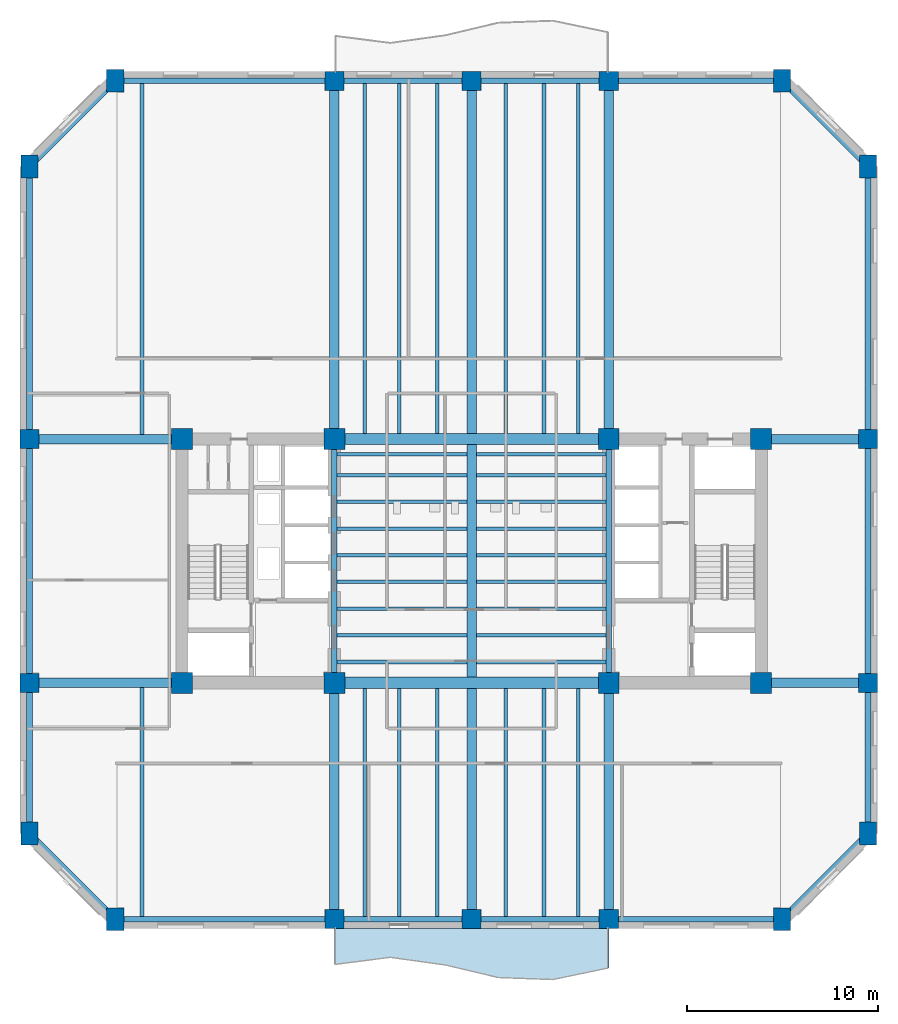
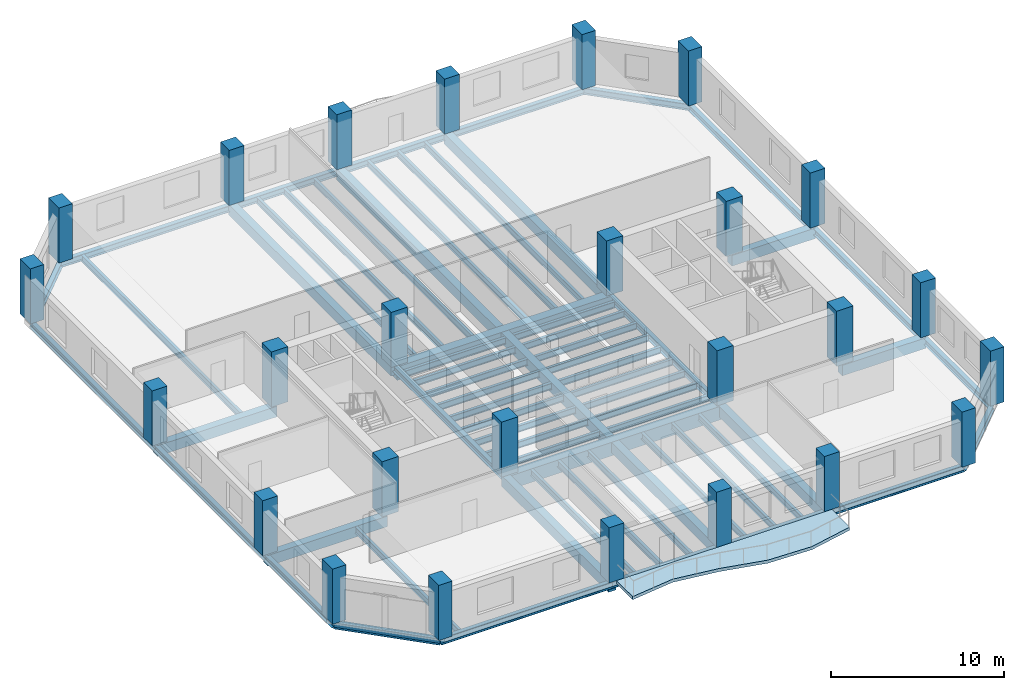
# One storey, part 1 of 10: 65 beams, 26 columns, 1 slab.
"""IFC4 building model written with IfcOpenShell, lengths in metres."""

from ifc_helpers import new_model, si_unit, direction, frame, origin, origin_2d, place, context, subcontext, project, spatial, polyline, rectangle, i_section, outline, extrude, material, layer, layer_set, material_profile, profile_set, type_object, element, save


model = new_model("IFC4")

# Units and contexts
model_context = context("Model", 3, precision=1e-05, world=origin(), true_north=direction((0.0, 1.0)))
body_context = subcontext(model_context, "Body", "Model", "MODEL_VIEW")
ifc_project = project(units=[si_unit("LENGTHUNIT", "METRE"), si_unit("AREAUNIT", "SQUARE_METRE"), si_unit("VOLUMEUNIT", "CUBIC_METRE"), si_unit("PLANEANGLEUNIT", "RADIAN"), si_unit("MASSUNIT", "GRAM", prefix="KILO")], contexts=[model_context])

# Site, building, storey
site_placement = place(None, origin())
site = spatial("IfcSite", under=ifc_project, at=site_placement, CompositionType="ELEMENT")
building_placement = place(site_placement, origin())
building = spatial("IfcBuilding", under=site, at=building_placement, Name="Kranthara Brick Stack", CompositionType="ELEMENT")
storey_placement = place(building_placement, frame((0.0, 0.0, 102.300048828125)))
storey = spatial("IfcBuildingStorey", under=building, at=storey_placement, Name="L25", CompositionType="ELEMENT", Elevation=102.300048828125)

# Columns
ifc_material_1 = material(Name="Concrete C70/85", Category="concrete")
ifc_material_profile_1 = material_profile(ifc_material_1, rectangle(XDim=0.89990234375, YDim=1.199951171875, at=origin_2d()), Name="RC 900x1200")
ifc_profile_set_1 = profile_set([ifc_material_profile_1], Name="Concrete C70/85")
column_type_1 = type_object("IfcColumnType", Name="COL-CHAM-900x1200", PredefinedType="COLUMN", material=ifc_profile_set_1)
for number, where, z_axis, x_axis, name in (
    (1, (9.300048828125, 8.39990234375, 0.0), (0.0, 0.0, 1.0), (1.0, 0.0, 0.0), "L25 Column 09"),
    (2, (9.300048828125, 52.39990234375, 0.0), (0.0, 0.0, 1.0), (1.0, 0.0, 0.0), "L25 Column 10"),
    (3, (44.300048828125, 8.39990234375, 0.0), (0.0, 0.0, 1.0), (1.0, 0.0, 0.0), "L25 Column 17"),
    (4, (44.300048828125, 52.39990234375, 0.0), (0.0, 0.0, 1.0), (1.0, 0.0, 0.0), "L25 Column 18"),
    (5, (4.800048828125, 12.89990234375, 0.0), (0.0, 0.0, 1.0), (1.0, 0.0, 0.0), "L25 Column 19"),
    (6, (48.800048828125, 12.89990234375, 0.0), (0.0, 0.0, 1.0), (1.0, 0.0, 0.0), "L25 Column 20"),
    (7, (4.800048828125, 47.89990234375, 0.0), (0.0, 0.0, 1.0), (1.0, 0.0, 0.0), "L25 Column 25"),
    (8, (48.800048828125, 47.89990234375, 0.0), (0.0, 0.0, 1.0), (1.0, 0.0, 0.0), "L25 Column 26"),
):
    element("IfcColumn", number, at=place(storey_placement, frame(where, z_axis=z_axis, x_axis=x_axis)), inside=storey, type_object=column_type_1, Name=name, PredefinedType="COLUMN", context=body_context, shape_type="SweptSolid", body=[
        extrude(rectangle(XDim=0.89990234375, YDim=1.199951171875, at=origin_2d()), origin(), (0.0, 0.0, 1.0), 3.89990234375),
    ])
ifc_material_2 = material(Name="Concrete C70/85", Category="concrete")
ifc_material_profile_2 = material_profile(ifc_material_2, rectangle(XDim=1.10009765625, YDim=1.10009765625, at=origin_2d()), Name="RC 1100x1100")
ifc_profile_set_2 = profile_set([ifc_material_profile_2], Name="Concrete C70/85")
column_type_2 = type_object("IfcColumnType", Name="COL-CORE-1100", PredefinedType="COLUMN", material=ifc_profile_set_2)
for number, where, z_axis, x_axis, name in (
    (9, (12.800048828125, 20.800048828125, 0.0), (0.0, 0.0, 1.0), (1.0, 0.0, 0.0), "L25 Column 01"),
    (10, (20.800048828125, 20.800048828125, 0.0), (0.0, 0.0, 1.0), (1.0, 0.0, 0.0), "L25 Column 02"),
    (11, (12.800048828125, 33.60009765625, 0.0), (0.0, 0.0, 1.0), (1.0, 0.0, 0.0), "L25 Column 03"),
    (12, (20.800048828125, 33.60009765625, 0.0), (0.0, 0.0, 1.0), (1.0, 0.0, 0.0), "L25 Column 04"),
    (13, (35.199951171875, 20.800048828125, 0.0), (0.0, 0.0, 1.0), (1.0, 0.0, 0.0), "L25 Column 05"),
    (14, (43.199951171875, 20.800048828125, 0.0), (0.0, 0.0, 1.0), (1.0, 0.0, 0.0), "L25 Column 06"),
    (15, (35.199951171875, 33.60009765625, 0.0), (0.0, 0.0, 1.0), (1.0, 0.0, 0.0), "L25 Column 07"),
    (16, (43.199951171875, 33.60009765625, 0.0), (0.0, 0.0, 1.0), (1.0, 0.0, 0.0), "L25 Column 08"),
):
    element("IfcColumn", number, at=place(storey_placement, frame(where, z_axis=z_axis, x_axis=x_axis)), inside=storey, type_object=column_type_2, Name=name, PredefinedType="COLUMN", context=body_context, shape_type="SweptSolid", body=[
        extrude(rectangle(XDim=1.10009765625, YDim=1.10009765625, at=origin_2d()), origin(), (0.0, 0.0, 1.0), 3.89990234375),
    ])
ifc_material_3 = material(Name="Concrete C60/75", Category="concrete")
ifc_material_profile_3 = material_profile(ifc_material_3, rectangle(XDim=1.0, YDim=1.0, at=origin_2d()), Name="RC 1000x1000")
ifc_profile_set_3 = profile_set([ifc_material_profile_3], Name="Concrete C60/75")
column_type_3 = type_object("IfcColumnType", Name="COL-PER-1000", PredefinedType="COLUMN", material=ifc_profile_set_3)
for number, where, z_axis, x_axis, name in (
    (17, (20.800048828125, 8.39990234375, 0.0), (0.0, 0.0, 1.0), (1.0, 0.0, 0.0), "L25 Column 11"),
    (18, (20.800048828125, 52.39990234375, 0.0), (0.0, 0.0, 1.0), (1.0, 0.0, 0.0), "L25 Column 12"),
    (19, (28.0, 8.39990234375, 0.0), (0.0, 0.0, 1.0), (1.0, 0.0, 0.0), "L25 Column 13"),
    (20, (28.0, 52.39990234375, 0.0), (0.0, 0.0, 1.0), (1.0, 0.0, 0.0), "L25 Column 14"),
    (21, (35.199951171875, 8.39990234375, 0.0), (0.0, 0.0, 1.0), (1.0, 0.0, 0.0), "L25 Column 15"),
    (22, (35.199951171875, 52.39990234375, 0.0), (0.0, 0.0, 1.0), (1.0, 0.0, 0.0), "L25 Column 16"),
    (23, (4.800048828125, 20.800048828125, 0.0), (0.0, 0.0, 1.0), (1.0, 0.0, 0.0), "L25 Column 21"),
    (24, (48.800048828125, 20.800048828125, 0.0), (0.0, 0.0, 1.0), (1.0, 0.0, 0.0), "L25 Column 22"),
    (25, (4.800048828125, 33.60009765625, 0.0), (0.0, 0.0, 1.0), (1.0, 0.0, 0.0), "L25 Column 23"),
    (26, (48.800048828125, 33.60009765625, 0.0), (0.0, 0.0, 1.0), (1.0, 0.0, 0.0), "L25 Column 24"),
):
    element("IfcColumn", number, at=place(storey_placement, frame(where, z_axis=z_axis, x_axis=x_axis)), inside=storey, type_object=column_type_3, Name=name, PredefinedType="COLUMN", context=body_context, shape_type="SweptSolid", body=[
        extrude(rectangle(XDim=1.0, YDim=1.0, at=origin_2d()), origin(), (0.0, 0.0, 1.0), 3.89990234375),
    ])

# Beams
ifc_material_4 = material(Name="Concrete C60/75", Category="concrete")
ifc_material_profile_4 = material_profile(ifc_material_4, rectangle(XDim=0.60009765625, YDim=0.949951171875, at=origin_2d()), Name="RC 600x950")
ifc_profile_set_4 = profile_set([ifc_material_profile_4], Name="Concrete C60/75")
beam_type_1 = type_object("IfcBeamType", Name="BM-CPL-RC950", PredefinedType="LINTEL", material=ifc_profile_set_4)
for number, where, z_axis, x_axis, name in (
    (27, (20.800048828125, 20.800048828125, -0.775146484375), (1.0, 0.0, 0.0), (0.0, 1.0, 0.0), "L25 Core Coupling Beam 001"),
    (28, (20.800048828125, 33.60009765625, -0.775146484375), (1.0, 0.0, 0.0), (0.0, 1.0, 0.0), "L25 Core Coupling Beam 002"),
):
    element("IfcBeam", number, at=place(storey_placement, frame(where, z_axis=z_axis, x_axis=x_axis)), inside=storey, type_object=beam_type_1, Name=name, PredefinedType="LINTEL", context=body_context, shape_type="SweptSolid", body=[
        extrude(rectangle(XDim=0.60009765625, YDim=0.949951171875, at=origin_2d()), origin(), (0.0, 0.0, 1.0), 14.39990234375),
    ])
ifc_material_5 = material(Name="Post-tensioned concrete C45/55", Category="concrete")
ifc_material_profile_5 = material_profile(ifc_material_5, rectangle(XDim=0.5, YDim=0.75, at=origin_2d()), Name="PT 500x750")
ifc_profile_set_5 = profile_set([ifc_material_profile_5], Name="Post-tensioned concrete C45/55")
beam_type_2 = type_object("IfcBeamType", Name="BM-FLR-PT750", PredefinedType="BEAM", material=ifc_profile_set_5)
beam_1_placement = place(storey_placement, frame((20.800048828125, 8.39990234375, -0.675048828125), z_axis=(0.0, 1.0, 0.0), x_axis=(-1.0, 0.0, 0.0)))
element("IfcBeam", 29, at=beam_1_placement, inside=storey, type_object=beam_type_2, Name="L25 Primary Grid Girder 023", PredefinedType="BEAM", context=body_context, shape_type="SweptSolid", body=[
    extrude(rectangle(XDim=0.5, YDim=0.75, at=origin_2d()), origin(), (0.0, 0.0, 1.0), 12.400146484375),
])
beam_2_placement = place(storey_placement, frame((20.800048828125, 33.60009765625, -0.675048828125), z_axis=(0.0, 1.0, 0.0), x_axis=(-1.0, 0.0, 0.0)))
element("IfcBeam", 30, at=beam_2_placement, inside=storey, type_object=beam_type_2, Name="L25 Primary Grid Girder 024", PredefinedType="BEAM", context=body_context, shape_type="SweptSolid", body=[
    extrude(rectangle(XDim=0.5, YDim=0.75, at=origin_2d()), origin(), (0.0, 0.0, 1.0), 18.7998046875),
])
beam_3_placement = place(storey_placement, frame((28.0, 8.39990234375, -0.675048828125), z_axis=(0.0, 1.0, 0.0), x_axis=(-1.0, 0.0, 0.0)))
element("IfcBeam", 31, at=beam_3_placement, inside=storey, type_object=beam_type_2, Name="L25 Primary Grid Girder 025", PredefinedType="BEAM", context=body_context, shape_type="SweptSolid", body=[
    extrude(rectangle(XDim=0.5, YDim=0.75, at=origin_2d()), origin(), (0.0, 0.0, 1.0), 12.10009765625),
])
beam_4_placement = place(storey_placement, frame((28.0, 21.10009765625, -0.675048828125), z_axis=(0.0, 1.0, 0.0), x_axis=(-1.0, 0.0, 0.0)))
element("IfcBeam", 32, at=beam_4_placement, inside=storey, type_object=beam_type_2, Name="L25 Central Spine Girder 026", PredefinedType="BEAM", context=body_context, shape_type="SweptSolid", body=[
    extrude(rectangle(XDim=0.5, YDim=0.75, at=origin_2d()), origin(), (0.0, 0.0, 1.0), 12.199951171875),
])
beam_5_placement = place(storey_placement, frame((28.0, 33.89990234375, -0.675048828125), z_axis=(0.0, 1.0, 0.0), x_axis=(-1.0, 0.0, 0.0)))
element("IfcBeam", 33, at=beam_5_placement, inside=storey, type_object=beam_type_2, Name="L25 Primary Grid Girder 027", PredefinedType="BEAM", context=body_context, shape_type="SweptSolid", body=[
    extrude(rectangle(XDim=0.5, YDim=0.75, at=origin_2d()), origin(), (0.0, 0.0, 1.0), 18.5),
])
beam_6_placement = place(storey_placement, frame((35.199951171875, 8.39990234375, -0.675048828125), z_axis=(0.0, 1.0, 0.0), x_axis=(-1.0, 0.0, 0.0)))
element("IfcBeam", 34, at=beam_6_placement, inside=storey, type_object=beam_type_2, Name="L25 Primary Grid Girder 028", PredefinedType="BEAM", context=body_context, shape_type="SweptSolid", body=[
    extrude(rectangle(XDim=0.5, YDim=0.75, at=origin_2d()), origin(), (0.0, 0.0, 1.0), 12.400146484375),
])
beam_7_placement = place(storey_placement, frame((35.199951171875, 33.60009765625, -0.675048828125), z_axis=(0.0, 1.0, 0.0), x_axis=(-1.0, 0.0, 0.0)))
element("IfcBeam", 35, at=beam_7_placement, inside=storey, type_object=beam_type_2, Name="L25 Primary Grid Girder 029", PredefinedType="BEAM", context=body_context, shape_type="SweptSolid", body=[
    extrude(rectangle(XDim=0.5, YDim=0.75, at=origin_2d()), origin(), (0.0, 0.0, 1.0), 18.7998046875),
])
beam_8_placement = place(storey_placement, frame((4.800048828125, 20.800048828125, -0.675048828125), z_axis=(1.0, 0.0, 0.0), x_axis=(0.0, 1.0, 0.0)))
element("IfcBeam", 36, at=beam_8_placement, inside=storey, type_object=beam_type_2, Name="L25 Primary Grid Girder 030", PredefinedType="BEAM", context=body_context, shape_type="SweptSolid", body=[
    extrude(rectangle(XDim=0.5, YDim=0.75, at=origin_2d()), origin(), (0.0, 0.0, 1.0), 8.0),
])
beam_9_placement = place(storey_placement, frame((43.199951171875, 20.800048828125, -0.675048828125), z_axis=(1.0, 0.0, 0.0), x_axis=(0.0, 1.0, 0.0)))
element("IfcBeam", 37, at=beam_9_placement, inside=storey, type_object=beam_type_2, Name="L25 Primary Grid Girder 031", PredefinedType="BEAM", context=body_context, shape_type="SweptSolid", body=[
    extrude(rectangle(XDim=0.5, YDim=0.75, at=origin_2d()), origin(), (0.0, 0.0, 1.0), 5.60009765625),
])
beam_10_placement = place(storey_placement, frame((4.800048828125, 33.60009765625, -0.675048828125), z_axis=(1.0, 0.0, 0.0), x_axis=(0.0, 1.0, 0.0)))
element("IfcBeam", 38, at=beam_10_placement, inside=storey, type_object=beam_type_2, Name="L25 Primary Grid Girder 032", PredefinedType="BEAM", context=body_context, shape_type="SweptSolid", body=[
    extrude(rectangle(XDim=0.5, YDim=0.75, at=origin_2d()), origin(), (0.0, 0.0, 1.0), 8.0),
])
beam_11_placement = place(storey_placement, frame((43.199951171875, 33.60009765625, -0.675048828125), z_axis=(1.0, 0.0, 0.0), x_axis=(0.0, 1.0, 0.0)))
element("IfcBeam", 39, at=beam_11_placement, inside=storey, type_object=beam_type_2, Name="L25 Primary Grid Girder 033", PredefinedType="BEAM", context=body_context, shape_type="SweptSolid", body=[
    extrude(rectangle(XDim=0.5, YDim=0.75, at=origin_2d()), origin(), (0.0, 0.0, 1.0), 5.60009765625),
])
ifc_material_6 = material(Name="Steel S355", Category="steel")
ifc_material_profile_6 = material_profile(ifc_material_6, i_section(OverallWidth=0.18994140625, OverallDepth=0.449951171875, WebThickness=0.009521484375, FlangeThickness=0.0146484375, at=origin_2d()), Name="IPE 450")
ifc_profile_set_6 = profile_set([ifc_material_profile_6], Name="Steel S355")
beam_type_3 = type_object("IfcBeamType", Name="BM-JST-IPE450", PredefinedType="JOIST", material=ifc_profile_set_6)
for number, where, z_axis, x_axis, name in (
    (40, (20.949951171875, 21.89990234375, -0.525146484375), (1.0, 0.0, 0.0), (0.0, 1.0, 0.0), "L25 Central Floor Joist 034"),
    (41, (28.25, 21.89990234375, -0.525146484375), (1.0, 0.0, 0.0), (0.0, 1.0, 0.0), "L25 Central Floor Joist 035"),
    (42, (20.949951171875, 23.300048828125, -0.525146484375), (1.0, 0.0, 0.0), (0.0, 1.0, 0.0), "L25 Central Floor Joist 036"),
    (43, (28.25, 23.300048828125, -0.525146484375), (1.0, 0.0, 0.0), (0.0, 1.0, 0.0), "L25 Central Floor Joist 037"),
    (44, (20.949951171875, 24.699951171875, -0.525146484375), (1.0, 0.0, 0.0), (0.0, 1.0, 0.0), "L25 Central Floor Joist 038"),
    (45, (28.25, 24.699951171875, -0.525146484375), (1.0, 0.0, 0.0), (0.0, 1.0, 0.0), "L25 Central Floor Joist 039"),
    (46, (20.949951171875, 26.10009765625, -0.525146484375), (1.0, 0.0, 0.0), (0.0, 1.0, 0.0), "L25 Central Floor Joist 040"),
    (47, (28.25, 26.10009765625, -0.525146484375), (1.0, 0.0, 0.0), (0.0, 1.0, 0.0), "L25 Central Floor Joist 041"),
    (48, (20.949951171875, 27.5, -0.525146484375), (1.0, 0.0, 0.0), (0.0, 1.0, 0.0), "L25 Central Floor Joist 042"),
    (49, (28.25, 27.5, -0.525146484375), (1.0, 0.0, 0.0), (0.0, 1.0, 0.0), "L25 Central Floor Joist 043"),
    (50, (20.949951171875, 28.89990234375, -0.525146484375), (1.0, 0.0, 0.0), (0.0, 1.0, 0.0), "L25 Central Floor Joist 044"),
    (51, (28.25, 28.89990234375, -0.525146484375), (1.0, 0.0, 0.0), (0.0, 1.0, 0.0), "L25 Central Floor Joist 045"),
    (52, (20.949951171875, 30.300048828125, -0.525146484375), (1.0, 0.0, 0.0), (0.0, 1.0, 0.0), "L25 Central Floor Joist 046"),
    (53, (28.25, 30.300048828125, -0.525146484375), (1.0, 0.0, 0.0), (0.0, 1.0, 0.0), "L25 Central Floor Joist 047"),
    (54, (20.949951171875, 31.699951171875, -0.525146484375), (1.0, 0.0, 0.0), (0.0, 1.0, 0.0), "L25 Central Floor Joist 048"),
    (55, (28.25, 31.699951171875, -0.525146484375), (1.0, 0.0, 0.0), (0.0, 1.0, 0.0), "L25 Central Floor Joist 049"),
    (56, (20.949951171875, 32.800048828125, -0.525146484375), (1.0, 0.0, 0.0), (0.0, 1.0, 0.0), "L25 Central Floor Joist 050"),
    (57, (28.25, 32.800048828125, -0.525146484375), (1.0, 0.0, 0.0), (0.0, 1.0, 0.0), "L25 Central Floor Joist 051"),
):
    element("IfcBeam", number, at=place(storey_placement, frame(where, z_axis=z_axis, x_axis=x_axis)), inside=storey, type_object=beam_type_3, Name=name, PredefinedType="JOIST", context=body_context, shape_type="SweptSolid", body=[
        extrude(i_section(OverallWidth=0.18994140625, OverallDepth=0.449951171875, WebThickness=0.009521484375, FlangeThickness=0.0146484375, at=origin_2d()), origin(), (0.0, 0.0, 1.0), 6.800048828125),
    ])
beam_12_placement = place(storey_placement, frame((10.699951171875, 8.550048828125, -0.525146484375), z_axis=(0.0, 1.0, 0.0), x_axis=(-1.0, 0.0, 0.0)))
element("IfcBeam", 58, at=beam_12_placement, inside=storey, type_object=beam_type_3, Name="L25 South Wing Floor Joist 052", PredefinedType="JOIST", context=body_context, shape_type="SweptSolid", body=[
    extrude(i_section(OverallWidth=0.18994140625, OverallDepth=0.449951171875, WebThickness=0.009521484375, FlangeThickness=0.0146484375, at=origin_2d()), origin(), (0.0, 0.0, 1.0), 12.0),
])
beam_13_placement = place(storey_placement, frame((10.699951171875, 33.85009765625, -0.525146484375), z_axis=(0.0, 1.0, 0.0), x_axis=(-1.0, 0.0, 0.0)))
element("IfcBeam", 59, at=beam_13_placement, inside=storey, type_object=beam_type_3, Name="L25 North Wing Floor Joist 053", PredefinedType="JOIST", context=body_context, shape_type="SweptSolid", body=[
    extrude(i_section(OverallWidth=0.18994140625, OverallDepth=0.449951171875, WebThickness=0.009521484375, FlangeThickness=0.0146484375, at=origin_2d()), origin(), (0.0, 0.0, 1.0), 18.39990234375),
])
beam_14_placement = place(storey_placement, frame((22.39990234375, 8.550048828125, -0.525146484375), z_axis=(0.0, 1.0, 0.0), x_axis=(-1.0, 0.0, 0.0)))
element("IfcBeam", 60, at=beam_14_placement, inside=storey, type_object=beam_type_3, Name="L25 South Wing Floor Joist 054", PredefinedType="JOIST", context=body_context, shape_type="SweptSolid", body=[
    extrude(i_section(OverallWidth=0.18994140625, OverallDepth=0.449951171875, WebThickness=0.009521484375, FlangeThickness=0.0146484375, at=origin_2d()), origin(), (0.0, 0.0, 1.0), 11.949951171875),
])
beam_15_placement = place(storey_placement, frame((22.39990234375, 33.89990234375, -0.525146484375), z_axis=(0.0, 1.0, 0.0), x_axis=(-1.0, 0.0, 0.0)))
element("IfcBeam", 61, at=beam_15_placement, inside=storey, type_object=beam_type_3, Name="L25 North Wing Floor Joist 055", PredefinedType="JOIST", context=body_context, shape_type="SweptSolid", body=[
    extrude(i_section(OverallWidth=0.18994140625, OverallDepth=0.449951171875, WebThickness=0.009521484375, FlangeThickness=0.0146484375, at=origin_2d()), origin(), (0.0, 0.0, 1.0), 18.35009765625),
])
beam_16_placement = place(storey_placement, frame((24.199951171875, 8.550048828125, -0.525146484375), z_axis=(0.0, 1.0, 0.0), x_axis=(-1.0, 0.0, 0.0)))
element("IfcBeam", 62, at=beam_16_placement, inside=storey, type_object=beam_type_3, Name="L25 South Wing Floor Joist 056", PredefinedType="JOIST", context=body_context, shape_type="SweptSolid", body=[
    extrude(i_section(OverallWidth=0.18994140625, OverallDepth=0.449951171875, WebThickness=0.009521484375, FlangeThickness=0.0146484375, at=origin_2d()), origin(), (0.0, 0.0, 1.0), 11.949951171875),
])
beam_17_placement = place(storey_placement, frame((24.199951171875, 33.89990234375, -0.525146484375), z_axis=(0.0, 1.0, 0.0), x_axis=(-1.0, 0.0, 0.0)))
element("IfcBeam", 63, at=beam_17_placement, inside=storey, type_object=beam_type_3, Name="L25 North Wing Floor Joist 057", PredefinedType="JOIST", context=body_context, shape_type="SweptSolid", body=[
    extrude(i_section(OverallWidth=0.18994140625, OverallDepth=0.449951171875, WebThickness=0.009521484375, FlangeThickness=0.0146484375, at=origin_2d()), origin(), (0.0, 0.0, 1.0), 18.35009765625),
])
beam_18_placement = place(storey_placement, frame((26.199951171875, 8.550048828125, -0.525146484375), z_axis=(0.0, 1.0, 0.0), x_axis=(-1.0, 0.0, 0.0)))
element("IfcBeam", 64, at=beam_18_placement, inside=storey, type_object=beam_type_3, Name="L25 South Wing Floor Joist 058", PredefinedType="JOIST", context=body_context, shape_type="SweptSolid", body=[
    extrude(i_section(OverallWidth=0.18994140625, OverallDepth=0.449951171875, WebThickness=0.009521484375, FlangeThickness=0.0146484375, at=origin_2d()), origin(), (0.0, 0.0, 1.0), 11.949951171875),
])
beam_19_placement = place(storey_placement, frame((26.199951171875, 33.89990234375, -0.525146484375), z_axis=(0.0, 1.0, 0.0), x_axis=(-1.0, 0.0, 0.0)))
element("IfcBeam", 65, at=beam_19_placement, inside=storey, type_object=beam_type_3, Name="L25 North Wing Floor Joist 059", PredefinedType="JOIST", context=body_context, shape_type="SweptSolid", body=[
    extrude(i_section(OverallWidth=0.18994140625, OverallDepth=0.449951171875, WebThickness=0.009521484375, FlangeThickness=0.0146484375, at=origin_2d()), origin(), (0.0, 0.0, 1.0), 18.35009765625),
])
beam_20_placement = place(storey_placement, frame((29.800048828125, 8.550048828125, -0.525146484375), z_axis=(0.0, 1.0, 0.0), x_axis=(-1.0, 0.0, 0.0)))
element("IfcBeam", 66, at=beam_20_placement, inside=storey, type_object=beam_type_3, Name="L25 South Wing Floor Joist 060", PredefinedType="JOIST", context=body_context, shape_type="SweptSolid", body=[
    extrude(i_section(OverallWidth=0.18994140625, OverallDepth=0.449951171875, WebThickness=0.009521484375, FlangeThickness=0.0146484375, at=origin_2d()), origin(), (0.0, 0.0, 1.0), 11.949951171875),
])
beam_21_placement = place(storey_placement, frame((29.800048828125, 33.89990234375, -0.525146484375), z_axis=(0.0, 1.0, 0.0), x_axis=(-1.0, 0.0, 0.0)))
element("IfcBeam", 67, at=beam_21_placement, inside=storey, type_object=beam_type_3, Name="L25 North Wing Floor Joist 061", PredefinedType="JOIST", context=body_context, shape_type="SweptSolid", body=[
    extrude(i_section(OverallWidth=0.18994140625, OverallDepth=0.449951171875, WebThickness=0.009521484375, FlangeThickness=0.0146484375, at=origin_2d()), origin(), (0.0, 0.0, 1.0), 18.35009765625),
])
beam_22_placement = place(storey_placement, frame((31.800048828125, 8.550048828125, -0.525146484375), z_axis=(0.0, 1.0, 0.0), x_axis=(-1.0, 0.0, 0.0)))
element("IfcBeam", 68, at=beam_22_placement, inside=storey, type_object=beam_type_3, Name="L25 South Wing Floor Joist 062", PredefinedType="JOIST", context=body_context, shape_type="SweptSolid", body=[
    extrude(i_section(OverallWidth=0.18994140625, OverallDepth=0.449951171875, WebThickness=0.009521484375, FlangeThickness=0.0146484375, at=origin_2d()), origin(), (0.0, 0.0, 1.0), 11.949951171875),
])
beam_23_placement = place(storey_placement, frame((31.800048828125, 33.89990234375, -0.525146484375), z_axis=(0.0, 1.0, 0.0), x_axis=(-1.0, 0.0, 0.0)))
element("IfcBeam", 69, at=beam_23_placement, inside=storey, type_object=beam_type_3, Name="L25 North Wing Floor Joist 063", PredefinedType="JOIST", context=body_context, shape_type="SweptSolid", body=[
    extrude(i_section(OverallWidth=0.18994140625, OverallDepth=0.449951171875, WebThickness=0.009521484375, FlangeThickness=0.0146484375, at=origin_2d()), origin(), (0.0, 0.0, 1.0), 18.35009765625),
])
beam_24_placement = place(storey_placement, frame((33.60009765625, 8.550048828125, -0.525146484375), z_axis=(0.0, 1.0, 0.0), x_axis=(-1.0, 0.0, 0.0)))
element("IfcBeam", 70, at=beam_24_placement, inside=storey, type_object=beam_type_3, Name="L25 South Wing Floor Joist 064", PredefinedType="JOIST", context=body_context, shape_type="SweptSolid", body=[
    extrude(i_section(OverallWidth=0.18994140625, OverallDepth=0.449951171875, WebThickness=0.009521484375, FlangeThickness=0.0146484375, at=origin_2d()), origin(), (0.0, 0.0, 1.0), 11.949951171875),
])
beam_25_placement = place(storey_placement, frame((33.60009765625, 33.89990234375, -0.525146484375), z_axis=(0.0, 1.0, 0.0), x_axis=(-1.0, 0.0, 0.0)))
element("IfcBeam", 71, at=beam_25_placement, inside=storey, type_object=beam_type_3, Name="L25 North Wing Floor Joist 065", PredefinedType="JOIST", context=body_context, shape_type="SweptSolid", body=[
    extrude(i_section(OverallWidth=0.18994140625, OverallDepth=0.449951171875, WebThickness=0.009521484375, FlangeThickness=0.0146484375, at=origin_2d()), origin(), (0.0, 0.0, 1.0), 18.35009765625),
])
ifc_material_7 = material(Name="Steel S355", Category="steel")
ifc_material_profile_7 = material_profile(ifc_material_7, i_section(OverallWidth=0.300048828125, OverallDepth=0.449951171875, WebThickness=0.013916015625, FlangeThickness=0.02587890625, at=origin_2d()), Name="HEB 450")
ifc_profile_set_7 = profile_set([ifc_material_profile_7], Name="Steel S355")
beam_type_4 = type_object("IfcBeamType", Name="BM-STL-HEB450", PredefinedType="SPANDREL", material=ifc_profile_set_7)
for number, where, z_axis, x_axis, name in (
    (72, (20.800048828125, 20.800048828125, -0.525146484375), (0.0, 1.0, 0.0), (-1.0, 0.0, 0.0), "L25 Core Edge Tie Beam 003"),
    (73, (35.199951171875, 20.800048828125, -0.525146484375), (0.0, 1.0, 0.0), (-1.0, 0.0, 0.0), "L25 Core Edge Tie Beam 004"),
):
    element("IfcBeam", number, at=place(storey_placement, frame(where, z_axis=z_axis, x_axis=x_axis)), inside=storey, type_object=beam_type_4, Name=name, PredefinedType="SPANDREL", context=body_context, shape_type="SweptSolid", body=[
        extrude(i_section(OverallWidth=0.300048828125, OverallDepth=0.449951171875, WebThickness=0.013916015625, FlangeThickness=0.02587890625, at=origin_2d()), origin(), (0.0, 0.0, 1.0), 12.800048828125),
    ])
beam_26_placement = place(storey_placement, frame((9.300048828125, 8.39990234375, -0.525146484375), z_axis=(1.0, 0.0, 0.0), x_axis=(0.0, 1.0, 0.0)))
element("IfcBeam", 74, at=beam_26_placement, inside=storey, type_object=beam_type_4, Name="L25 Perimeter Spandrel Beam 005", PredefinedType="SPANDREL", context=body_context, shape_type="SweptSolid", body=[
    extrude(i_section(OverallWidth=0.300048828125, OverallDepth=0.449951171875, WebThickness=0.013916015625, FlangeThickness=0.02587890625, at=origin_2d()), origin(), (0.0, 0.0, 1.0), 11.5),
])
for number, where, z_axis, x_axis, name in (
    (75, (20.800048828125, 8.39990234375, -0.525146484375), (1.0, 0.0, 0.0), (0.0, 1.0, 0.0), "L25 Perimeter Spandrel Beam 006"),
    (76, (28.0, 8.39990234375, -0.525146484375), (1.0, 0.0, 0.0), (0.0, 1.0, 0.0), "L25 Perimeter Spandrel Beam 007"),
):
    element("IfcBeam", number, at=place(storey_placement, frame(where, z_axis=z_axis, x_axis=x_axis)), inside=storey, type_object=beam_type_4, Name=name, PredefinedType="SPANDREL", context=body_context, shape_type="SweptSolid", body=[
        extrude(i_section(OverallWidth=0.300048828125, OverallDepth=0.449951171875, WebThickness=0.013916015625, FlangeThickness=0.02587890625, at=origin_2d()), origin(), (0.0, 0.0, 1.0), 7.199951171875),
    ])
beam_27_placement = place(storey_placement, frame((35.199951171875, 8.39990234375, -0.525146484375), z_axis=(1.0, 0.0, 0.0), x_axis=(0.0, 1.0, 0.0)))
element("IfcBeam", 77, at=beam_27_placement, inside=storey, type_object=beam_type_4, Name="L25 Perimeter Spandrel Beam 008", PredefinedType="SPANDREL", context=body_context, shape_type="SweptSolid", body=[
    extrude(i_section(OverallWidth=0.300048828125, OverallDepth=0.449951171875, WebThickness=0.013916015625, FlangeThickness=0.02587890625, at=origin_2d()), origin(), (0.0, 0.0, 1.0), 9.10009765625),
])
beam_28_placement = place(storey_placement, frame((9.300048828125, 52.39990234375, -0.525146484375), z_axis=(1.0, 0.0, 0.0), x_axis=(0.0, 1.0, 0.0)))
element("IfcBeam", 78, at=beam_28_placement, inside=storey, type_object=beam_type_4, Name="L25 Perimeter Spandrel Beam 009", PredefinedType="SPANDREL", context=body_context, shape_type="SweptSolid", body=[
    extrude(i_section(OverallWidth=0.300048828125, OverallDepth=0.449951171875, WebThickness=0.013916015625, FlangeThickness=0.02587890625, at=origin_2d()), origin(), (0.0, 0.0, 1.0), 11.5),
])
for number, where, z_axis, x_axis, name in (
    (79, (20.800048828125, 52.39990234375, -0.525146484375), (1.0, 0.0, 0.0), (0.0, 1.0, 0.0), "L25 Perimeter Spandrel Beam 010"),
    (80, (28.0, 52.39990234375, -0.525146484375), (1.0, 0.0, 0.0), (0.0, 1.0, 0.0), "L25 Perimeter Spandrel Beam 011"),
):
    element("IfcBeam", number, at=place(storey_placement, frame(where, z_axis=z_axis, x_axis=x_axis)), inside=storey, type_object=beam_type_4, Name=name, PredefinedType="SPANDREL", context=body_context, shape_type="SweptSolid", body=[
        extrude(i_section(OverallWidth=0.300048828125, OverallDepth=0.449951171875, WebThickness=0.013916015625, FlangeThickness=0.02587890625, at=origin_2d()), origin(), (0.0, 0.0, 1.0), 7.199951171875),
    ])
beam_29_placement = place(storey_placement, frame((35.199951171875, 52.39990234375, -0.525146484375), z_axis=(1.0, 0.0, 0.0), x_axis=(0.0, 1.0, 0.0)))
element("IfcBeam", 81, at=beam_29_placement, inside=storey, type_object=beam_type_4, Name="L25 Perimeter Spandrel Beam 012", PredefinedType="SPANDREL", context=body_context, shape_type="SweptSolid", body=[
    extrude(i_section(OverallWidth=0.300048828125, OverallDepth=0.449951171875, WebThickness=0.013916015625, FlangeThickness=0.02587890625, at=origin_2d()), origin(), (0.0, 0.0, 1.0), 9.10009765625),
])
beam_30_placement = place(storey_placement, frame((4.800048828125, 12.89990234375, -0.525146484375), z_axis=(0.0, 1.0, 0.0), x_axis=(-1.0, 0.0, 0.0)))
element("IfcBeam", 82, at=beam_30_placement, inside=storey, type_object=beam_type_4, Name="L25 Perimeter Spandrel Beam 013", PredefinedType="SPANDREL", context=body_context, shape_type="SweptSolid", body=[
    extrude(i_section(OverallWidth=0.300048828125, OverallDepth=0.449951171875, WebThickness=0.013916015625, FlangeThickness=0.02587890625, at=origin_2d()), origin(), (0.0, 0.0, 1.0), 7.900146484375),
])
beam_31_placement = place(storey_placement, frame((4.800048828125, 20.800048828125, -0.525146484375), z_axis=(0.0, 1.0, 0.0), x_axis=(-1.0, 0.0, 0.0)))
element("IfcBeam", 83, at=beam_31_placement, inside=storey, type_object=beam_type_4, Name="L25 Perimeter Spandrel Beam 014", PredefinedType="SPANDREL", context=body_context, shape_type="SweptSolid", body=[
    extrude(i_section(OverallWidth=0.300048828125, OverallDepth=0.449951171875, WebThickness=0.013916015625, FlangeThickness=0.02587890625, at=origin_2d()), origin(), (0.0, 0.0, 1.0), 12.800048828125),
])
beam_32_placement = place(storey_placement, frame((4.800048828125, 33.60009765625, -0.525146484375), z_axis=(0.0, 1.0, 0.0), x_axis=(-1.0, 0.0, 0.0)))
element("IfcBeam", 84, at=beam_32_placement, inside=storey, type_object=beam_type_4, Name="L25 Perimeter Spandrel Beam 015", PredefinedType="SPANDREL", context=body_context, shape_type="SweptSolid", body=[
    extrude(i_section(OverallWidth=0.300048828125, OverallDepth=0.449951171875, WebThickness=0.013916015625, FlangeThickness=0.02587890625, at=origin_2d()), origin(), (0.0, 0.0, 1.0), 14.2998046875),
])
beam_33_placement = place(storey_placement, frame((48.800048828125, 12.89990234375, -0.525146484375), z_axis=(0.0, 1.0, 0.0), x_axis=(-1.0, 0.0, 0.0)))
element("IfcBeam", 85, at=beam_33_placement, inside=storey, type_object=beam_type_4, Name="L25 Perimeter Spandrel Beam 016", PredefinedType="SPANDREL", context=body_context, shape_type="SweptSolid", body=[
    extrude(i_section(OverallWidth=0.300048828125, OverallDepth=0.449951171875, WebThickness=0.013916015625, FlangeThickness=0.02587890625, at=origin_2d()), origin(), (0.0, 0.0, 1.0), 7.900146484375),
])
beam_34_placement = place(storey_placement, frame((48.800048828125, 20.800048828125, -0.525146484375), z_axis=(0.0, 1.0, 0.0), x_axis=(-1.0, 0.0, 0.0)))
element("IfcBeam", 86, at=beam_34_placement, inside=storey, type_object=beam_type_4, Name="L25 Perimeter Spandrel Beam 017", PredefinedType="SPANDREL", context=body_context, shape_type="SweptSolid", body=[
    extrude(i_section(OverallWidth=0.300048828125, OverallDepth=0.449951171875, WebThickness=0.013916015625, FlangeThickness=0.02587890625, at=origin_2d()), origin(), (0.0, 0.0, 1.0), 12.800048828125),
])
beam_35_placement = place(storey_placement, frame((48.800048828125, 33.60009765625, -0.525146484375), z_axis=(0.0, 1.0, 0.0), x_axis=(-1.0, 0.0, 0.0)))
element("IfcBeam", 87, at=beam_35_placement, inside=storey, type_object=beam_type_4, Name="L25 Perimeter Spandrel Beam 018", PredefinedType="SPANDREL", context=body_context, shape_type="SweptSolid", body=[
    extrude(i_section(OverallWidth=0.300048828125, OverallDepth=0.449951171875, WebThickness=0.013916015625, FlangeThickness=0.02587890625, at=origin_2d()), origin(), (0.0, 0.0, 1.0), 14.2998046875),
])
for number, where, z_axis, x_axis, name in (
    (88, (9.300048828125, 8.39990234375, -0.525146484375), (-0.707106781187, 0.707106781187, 0.0), (-0.707106781187, -0.707106781187, 0.0), "L25 Chamfer Corner Spandrel 019"),
    (89, (44.300048828125, 8.39990234375, -0.525146484375), (0.707106781187, 0.707106781187, 0.0), (-0.707106781187, 0.707106781187, 0.0), "L25 Chamfer Corner Spandrel 020"),
    (90, (9.300048828125, 52.39990234375, -0.525146484375), (-0.707106781187, -0.707106781187, 0.0), (0.707106781187, -0.707106781187, 0.0), "L25 Chamfer Corner Spandrel 021"),
    (91, (44.300048828125, 52.39990234375, -0.525146484375), (0.707106781187, -0.707106781187, 0.0), (0.707106781187, 0.707106781187, 0.0), "L25 Chamfer Corner Spandrel 022"),
):
    element("IfcBeam", number, at=place(storey_placement, frame(where, z_axis=z_axis, x_axis=x_axis)), inside=storey, type_object=beam_type_4, Name=name, PredefinedType="SPANDREL", context=body_context, shape_type="SweptSolid", body=[
        extrude(i_section(OverallWidth=0.300048828125, OverallDepth=0.449951171875, WebThickness=0.013916015625, FlangeThickness=0.02587890625, at=origin_2d()), origin(), (0.0, 0.0, 1.0), 6.364013671875),
    ])

# Slab
ifc_material_8 = material(Name="Concrete C45/55", Category="concrete")
ifc_layer = layer(ifc_material_8, 0.219970703125)
ifc_layer_set = layer_set([ifc_layer], Name="Concrete C45/55")
slab_type = type_object("IfcSlabType", Name="SLB-BALC-220", PredefinedType="FLOOR", material=ifc_layer_set)
slab_placement = place(storey_placement, frame((0.0, 0.0, -0.219970703125)))
element("IfcSlab", 92, at=slab_placement, inside=storey, type_object=slab_type, Name="L25 South Rippling Balcony Slab", PredefinedType="FLOOR", context=body_context, shape_type="SweptSolid", body=[
    extrude(outline(polyline([(20.800048828125, 7.89990234375), (35.199951171875, 7.89990234375), (35.199951171875, 5.830078125), (32.320068359375, 5.21728515625), (29.43994140625, 5.305908203125), (26.56005859375, 5.984375), (23.679931640625, 6.3994140625), (20.800048828125, 6.029296875), (20.800048828125, 7.89990234375)])), origin(), (0.0, 0.0, 1.0), 0.219970703125),
])

save(model, "model.ifc")
